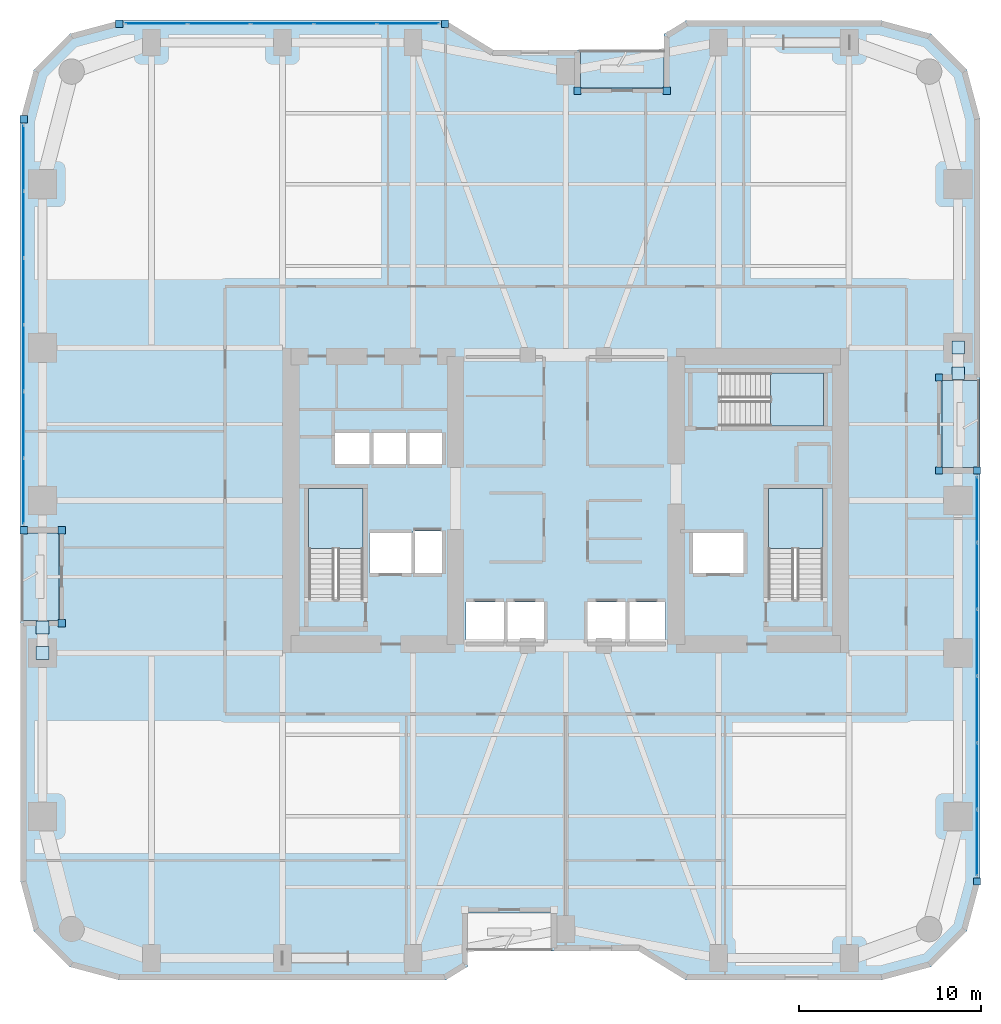
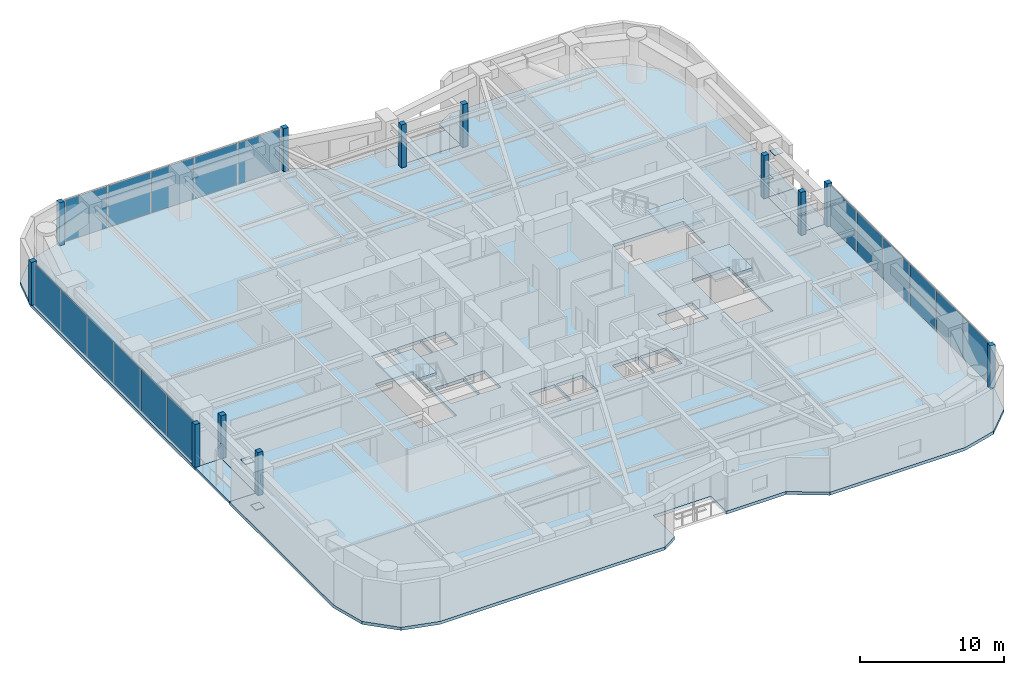
# One storey, part 16 of 24: 33 plates, 7 slabs, 6 elements without a shape of their own.
"""IFC4 building model written with IfcOpenShell, lengths in metres."""

from ifc_helpers import new_model, si_unit, direction, frame, origin, origin_2d, place, context, subcontext, project, spatial, polyline, rectangle, outline, extrude, material, layer, layer_set, type_object, element, aggregate, save


model = new_model("IFC4")

# Units and contexts
model_context = context("Model", 3, precision=1e-05, world=origin(), true_north=direction((0.0, 1.0)))
body_context = subcontext(model_context, "Body", "Model", "MODEL_VIEW")
ifc_project = project(units=[si_unit("LENGTHUNIT", "METRE"), si_unit("AREAUNIT", "SQUARE_METRE"), si_unit("VOLUMEUNIT", "CUBIC_METRE"), si_unit("PLANEANGLEUNIT", "RADIAN"), si_unit("MASSUNIT", "GRAM", prefix="KILO")], contexts=[model_context])

# Site, building, storey
site_placement = place(None, origin())
site = spatial("IfcSite", under=ifc_project, at=site_placement, CompositionType="ELEMENT")
building_placement = place(site_placement, origin())
building = spatial("IfcBuilding", under=site, at=building_placement, Name="Kiyonajd Concourse Tower", CompositionType="ELEMENT")
storey_placement = place(building_placement, frame((0.0, 0.0, 89.699951171875)))
storey = spatial("IfcBuildingStorey", under=building, at=storey_placement, Name="L23", CompositionType="ELEMENT", Elevation=89.699951171875)

# Plates
ifc_material_1 = material(Name="Steel ASTM A572 Grade 50", Category="steel")
ifc_layer_1 = layer(ifc_material_1, 0.028076171875)
ifc_layer_set_1 = layer_set([ifc_layer_1], Name="Steel ASTM A572 Grade 50")
plate_type_1 = type_object("IfcPlateType", Name="PL-CAP-450", PredefinedType="USERDEFINED", material=ifc_layer_set_1)
for number, where, z_axis, x_axis, name in (
    (1, (19.199951171875, 27.59521484375, 0.27587890625), (0.0, 0.0, 1.0), (1.0, 0.0, 0.0), "L23 Hollow Brace End Cap Plate PBW"),
    (2, (19.199951171875, 29.004638671875, 3.2861328125), (0.0, 0.0, 1.0), (1.0, 0.0, 0.0), "L23 Hollow Brace Top Cap Plate PBW"),
    (3, (69.60009765625, 44.40478515625, 0.27587890625), (0.0, 0.0, 1.0), (1.0, 0.0, 0.0), "L23 Hollow Brace End Cap Plate PBE"),
    (4, (69.60009765625, 42.995361328125, 3.2861328125), (0.0, 0.0, 1.0), (1.0, 0.0, 0.0), "L23 Hollow Brace Top Cap Plate PBE"),
):
    element("IfcPlate", number, at=place(storey_placement, frame(where, z_axis=z_axis, x_axis=x_axis)), inside=storey, type_object=plate_type_1, Name=name, ObjectType="CAP PLATE", PredefinedType="USERDEFINED", context=body_context, shape_type="SweptSolid", body=[
        extrude(rectangle(XDim=0.7099609375, YDim=0.7099609375, at=origin_2d()), origin(), (0.0, 0.0, 1.0), 0.028076171875),
    ])

# Curtain wall, plates
ifc_material_2 = material(Name="Thermally Broken Anodised Aluminium", Category="aluminium")
ifc_layer_2 = layer(ifc_material_2, 0.179931640625)
ifc_layer_set_2 = layer_set([ifc_layer_2], Name="Thermally Broken Anodised Aluminium")
curtain_wall_type = type_object("IfcCurtainWallType", Name="CW-SYS-03", PredefinedType="NOTDEFINED", material=ifc_layer_set_2)
curtain_wall_1_placement = place(storey_placement, origin())
curtain_wall_1 = element("IfcCurtainWall", 5, at=curtain_wall_1_placement, inside=storey, type_object=curtain_wall_type, Name="L23 Unitised Curtain Wall CW3", PredefinedType="NOTDEFINED")
ifc_material_3 = material(Name="Double Low-E Insulated Glass", Category="glass")
ifc_layer_3 = layer(ifc_material_3, 0.033935546875)
ifc_layer_set_3 = layer_set([ifc_layer_3], Name="Double Low-E Insulated Glass")
plate_type_2 = type_object("IfcPlateType", Name="PL-CW-VIS34", PredefinedType="CURTAIN_PANEL", material=ifc_layer_set_3)
plate_1_placement = place(storey_placement, frame((18.159912109375, 36.5029296875, 0.06494140625), z_axis=(0.0, 0.0, 1.0), x_axis=(0.0, 1.0, 0.0)))
plate_1 = element("IfcPlate", 6, at=plate_1_placement, type_object=plate_type_2, Name="CW3 panel 1.1", PredefinedType="CURTAIN_PANEL", context=body_context, shape_type="SweptSolid", body=[
    extrude(rectangle(XDim=3.57568359375, YDim=0.033935546875, at=origin_2d()), origin(), (0.0, 0.0, 1.0), 3.510009765625),
])
plate_2_placement = place(storey_placement, frame((18.159912109375, 40.15966796875, 0.06494140625), z_axis=(0.0, 0.0, 1.0), x_axis=(0.0, 1.0, 0.0)))
plate_2 = element("IfcPlate", 7, at=plate_2_placement, type_object=plate_type_2, Name="CW3 panel 2.1", PredefinedType="CURTAIN_PANEL", context=body_context, shape_type="SweptSolid", body=[
    extrude(rectangle(XDim=3.608154296875, YDim=0.033935546875, at=origin_2d()), origin(), (0.0, 0.0, 1.0), 3.510009765625),
])
plate_3_placement = place(storey_placement, frame((18.159912109375, 43.832763671875, 0.06494140625), z_axis=(0.0, 0.0, 1.0), x_axis=(0.0, 1.0, 0.0)))
plate_3 = element("IfcPlate", 8, at=plate_3_placement, type_object=plate_type_2, Name="CW3 panel 3.1", PredefinedType="CURTAIN_PANEL", context=body_context, shape_type="SweptSolid", body=[
    extrude(rectangle(XDim=3.608154296875, YDim=0.033935546875, at=origin_2d()), origin(), (0.0, 0.0, 1.0), 3.510009765625),
])
plate_4_placement = place(storey_placement, frame((18.159912109375, 47.506103515625, 0.06494140625), z_axis=(0.0, 0.0, 1.0), x_axis=(0.0, 1.0, 0.0)))
plate_4 = element("IfcPlate", 9, at=plate_4_placement, type_object=plate_type_2, Name="CW3 panel 4.1", PredefinedType="CURTAIN_PANEL", context=body_context, shape_type="SweptSolid", body=[
    extrude(rectangle(XDim=3.608154296875, YDim=0.033935546875, at=origin_2d()), origin(), (0.0, 0.0, 1.0), 3.510009765625),
])
plate_5_placement = place(storey_placement, frame((18.159912109375, 51.17919921875, 0.06494140625), z_axis=(0.0, 0.0, 1.0), x_axis=(0.0, 1.0, 0.0)))
plate_5 = element("IfcPlate", 10, at=plate_5_placement, type_object=plate_type_2, Name="CW3 panel 5.1", PredefinedType="CURTAIN_PANEL", context=body_context, shape_type="SweptSolid", body=[
    extrude(rectangle(XDim=3.608154296875, YDim=0.033935546875, at=origin_2d()), origin(), (0.0, 0.0, 1.0), 3.510009765625),
])
plate_6_placement = place(storey_placement, frame((18.159912109375, 54.836181640625, 0.06494140625), z_axis=(0.0, 0.0, 1.0), x_axis=(0.0, 1.0, 0.0)))
plate_6 = element("IfcPlate", 11, at=plate_6_placement, type_object=plate_type_2, Name="CW3 panel 6.1", PredefinedType="CURTAIN_PANEL", context=body_context, shape_type="SweptSolid", body=[
    extrude(rectangle(XDim=3.57568359375, YDim=0.033935546875, at=origin_2d()), origin(), (0.0, 0.0, 1.0), 3.510009765625),
])
aggregate(curtain_wall_1, [plate_1, plate_2, plate_3, plate_4, plate_5, plate_6])

curtain_wall_2_placement = place(storey_placement, origin())
curtain_wall_2 = element("IfcCurtainWall", 12, at=curtain_wall_2_placement, inside=storey, type_object=curtain_wall_type, Name="L23 Unitised Curtain Wall CW3", PredefinedType="NOTDEFINED")
plate_7_placement = place(storey_placement, frame((25.462646484375, 62.239990234375, 0.06494140625), z_axis=(0.0, 0.0, 1.0), x_axis=(1.0, 0.0, 0.0)))
plate_7 = element("IfcPlate", 13, at=plate_7_placement, type_object=plate_type_2, Name="CW3 panel 1.1", PredefinedType="CURTAIN_PANEL", context=body_context, shape_type="SweptSolid", body=[
    extrude(rectangle(XDim=3.373291015625, YDim=0.033935546875, at=origin_2d()), origin(), (0.0, 0.0, 1.0), 3.510009765625),
])
plate_8_placement = place(storey_placement, frame((28.917236328125, 62.239990234375, 0.06494140625), z_axis=(0.0, 0.0, 1.0), x_axis=(1.0, 0.0, 0.0)))
plate_8 = element("IfcPlate", 14, at=plate_8_placement, type_object=plate_type_2, Name="CW3 panel 2.1", PredefinedType="CURTAIN_PANEL", context=body_context, shape_type="SweptSolid", body=[
    extrude(rectangle(XDim=3.40576171875, YDim=0.033935546875, at=origin_2d()), origin(), (0.0, 0.0, 1.0), 3.510009765625),
])
plate_9_placement = place(storey_placement, frame((32.387939453125, 62.239990234375, 0.06494140625), z_axis=(0.0, 0.0, 1.0), x_axis=(1.0, 0.0, 0.0)))
plate_9 = element("IfcPlate", 15, at=plate_9_placement, type_object=plate_type_2, Name="CW3 panel 3.1", PredefinedType="CURTAIN_PANEL", context=body_context, shape_type="SweptSolid", body=[
    extrude(rectangle(XDim=3.40576171875, YDim=0.033935546875, at=origin_2d()), origin(), (0.0, 0.0, 1.0), 3.510009765625),
])
plate_10_placement = place(storey_placement, frame((35.858642578125, 62.239990234375, 0.06494140625), z_axis=(0.0, 0.0, 1.0), x_axis=(1.0, 0.0, 0.0)))
plate_10 = element("IfcPlate", 16, at=plate_10_placement, type_object=plate_type_2, Name="CW3 panel 4.1", PredefinedType="CURTAIN_PANEL", context=body_context, shape_type="SweptSolid", body=[
    extrude(rectangle(XDim=3.40576171875, YDim=0.033935546875, at=origin_2d()), origin(), (0.0, 0.0, 1.0), 3.510009765625),
])
plate_11_placement = place(storey_placement, frame((39.31298828125, 62.239990234375, 0.06494140625), z_axis=(0.0, 0.0, 1.0), x_axis=(1.0, 0.0, 0.0)))
plate_11 = element("IfcPlate", 17, at=plate_11_placement, type_object=plate_type_2, Name="CW3 panel 5.1", PredefinedType="CURTAIN_PANEL", context=body_context, shape_type="SweptSolid", body=[
    extrude(rectangle(XDim=3.373291015625, YDim=0.033935546875, at=origin_2d()), origin(), (0.0, 0.0, 1.0), 3.510009765625),
])
aggregate(curtain_wall_2, [plate_7, plate_8, plate_9, plate_10, plate_11])

curtain_wall_3_placement = place(storey_placement, origin())
curtain_wall_3 = element("IfcCurtainWall", 18, at=curtain_wall_3_placement, inside=storey, type_object=curtain_wall_type, Name="L23 Unitised Curtain Wall CW3", PredefinedType="NOTDEFINED")
plate_12_placement = place(storey_placement, frame((70.639892578125, 35.4970703125, 0.06494140625), z_axis=(0.0, 0.0, 1.0), x_axis=(0.0, -1.0, 0.0)))
plate_12 = element("IfcPlate", 19, at=plate_12_placement, type_object=plate_type_2, Name="CW3 panel 1.1", PredefinedType="CURTAIN_PANEL", context=body_context, shape_type="SweptSolid", body=[
    extrude(rectangle(XDim=3.57568359375, YDim=0.033935546875, at=origin_2d()), origin(), (0.0, 0.0, 1.0), 3.510009765625),
])
plate_13_placement = place(storey_placement, frame((70.639892578125, 31.84033203125, 0.06494140625), z_axis=(0.0, 0.0, 1.0), x_axis=(0.0, -1.0, 0.0)))
plate_13 = element("IfcPlate", 20, at=plate_13_placement, type_object=plate_type_2, Name="CW3 panel 2.1", PredefinedType="CURTAIN_PANEL", context=body_context, shape_type="SweptSolid", body=[
    extrude(rectangle(XDim=3.608154296875, YDim=0.033935546875, at=origin_2d()), origin(), (0.0, 0.0, 1.0), 3.510009765625),
])
plate_14_placement = place(storey_placement, frame((70.639892578125, 28.167236328125, 0.06494140625), z_axis=(0.0, 0.0, 1.0), x_axis=(0.0, -1.0, 0.0)))
plate_14 = element("IfcPlate", 21, at=plate_14_placement, type_object=plate_type_2, Name="CW3 panel 3.1", PredefinedType="CURTAIN_PANEL", context=body_context, shape_type="SweptSolid", body=[
    extrude(rectangle(XDim=3.608154296875, YDim=0.033935546875, at=origin_2d()), origin(), (0.0, 0.0, 1.0), 3.510009765625),
])
plate_15_placement = place(storey_placement, frame((70.639892578125, 24.493896484375, 0.06494140625), z_axis=(0.0, 0.0, 1.0), x_axis=(0.0, -1.0, 0.0)))
plate_15 = element("IfcPlate", 22, at=plate_15_placement, type_object=plate_type_2, Name="CW3 panel 4.1", PredefinedType="CURTAIN_PANEL", context=body_context, shape_type="SweptSolid", body=[
    extrude(rectangle(XDim=3.608154296875, YDim=0.033935546875, at=origin_2d()), origin(), (0.0, 0.0, 1.0), 3.510009765625),
])
plate_16_placement = place(storey_placement, frame((70.639892578125, 20.82080078125, 0.06494140625), z_axis=(0.0, 0.0, 1.0), x_axis=(0.0, -1.0, 0.0)))
plate_16 = element("IfcPlate", 23, at=plate_16_placement, type_object=plate_type_2, Name="CW3 panel 5.1", PredefinedType="CURTAIN_PANEL", context=body_context, shape_type="SweptSolid", body=[
    extrude(rectangle(XDim=3.608154296875, YDim=0.033935546875, at=origin_2d()), origin(), (0.0, 0.0, 1.0), 3.510009765625),
])
plate_17_placement = place(storey_placement, frame((70.639892578125, 17.163818359375, 0.06494140625), z_axis=(0.0, 0.0, 1.0), x_axis=(0.0, -1.0, 0.0)))
plate_17 = element("IfcPlate", 24, at=plate_17_placement, type_object=plate_type_2, Name="CW3 panel 6.1", PredefinedType="CURTAIN_PANEL", context=body_context, shape_type="SweptSolid", body=[
    extrude(rectangle(XDim=3.57568359375, YDim=0.033935546875, at=origin_2d()), origin(), (0.0, 0.0, 1.0), 3.510009765625),
])
aggregate(curtain_wall_3, [plate_12, plate_13, plate_14, plate_15, plate_16, plate_17])

# Plates
ifc_layer_4 = layer(ifc_material_2, 0.39990234375)
ifc_layer_set_4 = layer_set([ifc_layer_4], Name="Thermally Broken Anodised Aluminium")
plate_type_3 = type_object("IfcPlateType", Name="PL-JMB-400", PredefinedType="USERDEFINED", material=ifc_layer_set_4)
for number, where, z_axis, x_axis, name in (
    (25, (20.260009765625, 29.239990234375, 0.0), (0.0, 0.0, 1.0), (1.0, 0.0, 0.0), "L23 Facade Jamb Closure Plate 01"),
    (26, (20.260009765625, 34.360107421875, 0.0), (0.0, 0.0, 1.0), (1.0, 0.0, 0.0), "L23 Facade Jamb Closure Plate 02"),
    (27, (18.159912109375, 34.360107421875, 0.0), (0.0, 0.0, 1.0), (1.0, 0.0, 0.0), "L23 Facade Jamb Closure Plate 03"),
    (28, (18.159912109375, 56.97900390625, 0.0), (0.0, 0.0, 1.0), (1.0, 0.0, 0.0), "L23 Facade Jamb Closure Plate 04"),
    (29, (23.421142578125, 62.239990234375, 0.0), (0.0, 0.0, 1.0), (1.0, 0.0, 0.0), "L23 Facade Jamb Closure Plate 05"),
    (30, (41.354736328125, 62.239990234375, 0.0), (0.0, 0.0, 1.0), (1.0, 0.0, 0.0), "L23 Facade Jamb Closure Plate 06"),
    (31, (48.639892578125, 58.5400390625, 0.0), (0.0, 0.0, 1.0), (1.0, 0.0, 0.0), "L23 Facade Jamb Closure Plate 07"),
    (32, (53.56005859375, 58.5400390625, 0.0), (0.0, 0.0, 1.0), (1.0, 0.0, 0.0), "L23 Facade Jamb Closure Plate 08"),
    (33, (68.5400390625, 42.760009765625, 0.0), (0.0, 0.0, 1.0), (1.0, 0.0, 0.0), "L23 Facade Jamb Closure Plate 09"),
    (34, (68.5400390625, 37.639892578125, 0.0), (0.0, 0.0, 1.0), (1.0, 0.0, 0.0), "L23 Facade Jamb Closure Plate 10"),
    (35, (70.639892578125, 37.639892578125, 0.0), (0.0, 0.0, 1.0), (1.0, 0.0, 0.0), "L23 Facade Jamb Closure Plate 11"),
    (36, (70.639892578125, 15.02099609375, 0.0), (0.0, 0.0, 1.0), (1.0, 0.0, 0.0), "L23 Facade Jamb Closure Plate 12"),
):
    element("IfcPlate", number, at=place(storey_placement, frame(where, z_axis=z_axis, x_axis=x_axis)), inside=storey, type_object=plate_type_3, Name=name, ObjectType="JAMB PLATE", PredefinedType="USERDEFINED", context=body_context, shape_type="SweptSolid", body=[
        extrude(rectangle(XDim=0.39990234375, YDim=0.39990234375, at=origin_2d()), origin(), (0.0, 0.0, 1.0), 3.639892578125),
    ])

# Stair, slab
ifc_material_4 = material(Name="Concrete C40/50", Category="concrete")
stair_type = type_object("IfcStairType", Name="ST-DLG-22R", PredefinedType="HALF_TURN_STAIR", material=ifc_material_4)
stair_1_placement = place(storey_placement, origin())
stair_1 = element("IfcStair", 37, at=stair_1_placement, inside=storey, type_object=stair_type, Name="L23 Protected Exit Stair ST1", PredefinedType="HALF_TURN_STAIR")
ifc_layer_5 = layer(ifc_material_4, 0.199951171875)
ifc_layer_set_5 = layer_set([ifc_layer_5], Name="Concrete C40/50")
slab_type_1 = type_object("IfcSlabType", Name="SL-LND-200", PredefinedType="LANDING", material=ifc_layer_set_5)
slab_1_placement = place(storey_placement, frame((0.0, 0.0, 1.75)))
slab_1 = element("IfcSlab", 38, at=slab_1_placement, type_object=slab_type_1, Name="ST1 landing 1", PredefinedType="LANDING", context=body_context, shape_type="SweptSolid", body=[
    extrude(outline(polyline([(36.85009765625, 33.35009765625), (36.85009765625, 36.64990234375), (33.85009765625, 36.64990234375), (33.85009765625, 33.35009765625), (36.85009765625, 33.35009765625)])), origin(), (0.0, 0.0, 1.0), 0.199951171875),
])
aggregate(stair_1, [slab_1])

stair_2_placement = place(storey_placement, origin())
stair_2 = element("IfcStair", 39, at=stair_2_placement, inside=storey, type_object=stair_type, Name="L23 Protected Exit Stair ST2", PredefinedType="HALF_TURN_STAIR")
slab_2_placement = place(storey_placement, frame((0.0, 0.0, 1.75)))
slab_2 = element("IfcSlab", 40, at=slab_2_placement, type_object=slab_type_1, Name="ST2 landing 1", PredefinedType="LANDING", context=body_context, shape_type="SweptSolid", body=[
    extrude(outline(polyline([(62.14990234375, 33.35009765625), (62.14990234375, 36.64990234375), (59.14990234375, 36.64990234375), (59.14990234375, 33.35009765625), (62.14990234375, 33.35009765625)])), origin(), (0.0, 0.0, 1.0), 0.199951171875),
])
aggregate(stair_2, [slab_2])

stair_3_placement = place(storey_placement, origin())
stair_3 = element("IfcStair", 41, at=stair_3_placement, inside=storey, type_object=stair_type, Name="L23 Protected Exit Stair ST3", PredefinedType="HALF_TURN_STAIR")
slab_3_placement = place(storey_placement, frame((0.0, 0.0, 1.75)))
slab_3 = element("IfcSlab", 42, at=slab_3_placement, type_object=slab_type_1, Name="ST3 landing 1", PredefinedType="LANDING", context=body_context, shape_type="SweptSolid", body=[
    extrude(outline(polyline([(59.280029296875, 40.080078125), (62.179931640625, 40.080078125), (62.179931640625, 43.02001953125), (59.280029296875, 43.02001953125), (59.280029296875, 40.080078125)])), origin(), (0.0, 0.0, 1.0), 0.199951171875),
])
aggregate(stair_3, [slab_3])

# Slabs
ifc_material_5 = material(Name="Precast concrete C50/60", Category="concrete")
ifc_layer_6 = layer(ifc_material_5, 0.199951171875)
ifc_layer_set_6 = layer_set([ifc_layer_6], Name="Precast concrete C50/60")
slab_type_2 = type_object("IfcSlabType", Name="SL-LOG-200", PredefinedType="FLOOR", material=ifc_layer_set_6)
slab_4_placement = place(storey_placement, frame((0.0, 0.0, -0.199951171875)))
element("IfcSlab", 43, at=slab_4_placement, inside=storey, type_object=slab_type_2, Name="L23 Recessed Engawa Loggia Terrace Slab LOG-N", PredefinedType="FLOOR", context=body_context, shape_type="SweptSolid", body=[
    extrude(outline(polyline([(48.800048828125, 58.699951171875), (53.39990234375, 58.699951171875), (53.39990234375, 60.800048828125), (48.800048828125, 60.800048828125), (48.800048828125, 58.699951171875)])), origin(), (0.0, 0.0, 1.0), 0.199951171875),
])
slab_5_placement = place(storey_placement, frame((0.0, 0.0, -0.199951171875)))
element("IfcSlab", 44, at=slab_5_placement, inside=storey, type_object=slab_type_2, Name="L23 Recessed Engawa Loggia Terrace Slab LOG-W", PredefinedType="FLOOR", context=body_context, shape_type="SweptSolid", body=[
    extrude(outline(polyline([(18.0, 29.39990234375), (20.10009765625, 29.39990234375), (20.10009765625, 34.199951171875), (18.0, 34.199951171875), (18.0, 29.39990234375)])), origin(), (0.0, 0.0, 1.0), 0.199951171875),
])
slab_6_placement = place(storey_placement, frame((0.0, 0.0, -0.199951171875)))
element("IfcSlab", 45, at=slab_6_placement, inside=storey, type_object=slab_type_2, Name="L23 Recessed Engawa Loggia Terrace Slab LOG-E", PredefinedType="FLOOR", context=body_context, shape_type="SweptSolid", body=[
    extrude(outline(polyline([(68.699951171875, 37.800048828125), (70.800048828125, 37.800048828125), (70.800048828125, 42.60009765625), (68.699951171875, 42.60009765625), (68.699951171875, 37.800048828125)])), origin(), (0.0, 0.0, 1.0), 0.199951171875),
])
ifc_layer_7 = layer(ifc_material_4, 0.260009765625)
ifc_layer_set_7 = layer_set([ifc_layer_7], Name="Concrete C40/50")
slab_type_3 = type_object("IfcSlabType", Name="SL-TWR-260", PredefinedType="FLOOR", material=ifc_layer_set_7)
slab_7_placement = place(storey_placement, frame((0.0, 0.0, -0.260009765625)))
element("IfcSlab", 46, at=slab_7_placement, inside=storey, type_object=slab_type_3, Name="L23 Tower Conditioned Floor Slab", PredefinedType="FLOOR", context=body_context, shape_type="SweptSolid", body=[
    extrude(outline(polyline([(18.722900390625, 12.300048828125), (18.0, 15.0), (18.0, 29.39990234375), (20.10009765625, 29.39990234375), (20.10009765625, 34.199951171875), (18.0, 34.199951171875), (18.0, 57.0), (18.722900390625, 59.699951171875), (20.699951171875, 61.677001953125), (23.39990234375, 62.39990234375), (41.39990234375, 62.39990234375), (44.0, 60.800048828125), (48.800048828125, 60.800048828125), (48.800048828125, 58.699951171875), (53.39990234375, 58.699951171875), (53.39990234375, 61.662109375), (54.60009765625, 62.39990234375), (65.39990234375, 62.39990234375), (68.10009765625, 61.677001953125), (70.076904296875, 59.699951171875), (70.800048828125, 57.0), (70.800048828125, 42.60009765625), (68.699951171875, 42.60009765625), (68.699951171875, 37.800048828125), (70.800048828125, 37.800048828125), (70.800048828125, 15.0), (70.076904296875, 12.300048828125), (68.10009765625, 10.322998046875), (65.39990234375, 9.60009765625), (54.60009765625, 9.60009765625), (52.0, 11.199951171875), (47.199951171875, 11.199951171875), (47.199951171875, 13.300048828125), (42.60009765625, 13.300048828125), (42.60009765625, 10.337890625), (41.39990234375, 9.60009765625), (23.39990234375, 9.60009765625), (20.699951171875, 10.322998046875), (18.722900390625, 12.300048828125)]), holes=[polyline([(44.60009765625, 28.199951171875), (42.5, 28.199951171875), (42.5, 30.39990234375), (44.60009765625, 30.39990234375), (44.60009765625, 28.199951171875)]), polyline([(37.199951171875, 32.0), (37.199951171875, 34.199951171875), (39.5, 34.199951171875), (39.5, 32.0), (37.199951171875, 32.0)]), polyline([(39.60009765625, 32.0), (39.60009765625, 34.300048828125), (41.199951171875, 34.300048828125), (41.199951171875, 32.0), (39.60009765625, 32.0)]), polyline([(36.85009765625, 30.550048828125), (33.85009765625, 30.550048828125), (33.85009765625, 36.64990234375), (36.85009765625, 36.64990234375), (36.85009765625, 30.550048828125)]), polyline([(35.300048828125, 38.0), (35.300048828125, 39.699951171875), (37.199951171875, 39.699951171875), (37.199951171875, 38.0), (35.300048828125, 38.0)]), polyline([(37.300048828125, 38.0), (37.300048828125, 39.699951171875), (39.199951171875, 39.699951171875), (39.199951171875, 38.0), (37.300048828125, 38.0)]), polyline([(41.199951171875, 38.0), (39.300048828125, 38.0), (39.300048828125, 39.699951171875), (41.199951171875, 39.699951171875), (41.199951171875, 38.0)]), polyline([(44.699951171875, 28.199951171875), (44.699951171875, 30.39990234375), (46.800048828125, 30.39990234375), (46.800048828125, 28.199951171875), (44.699951171875, 28.199951171875)]), polyline([(49.199951171875, 28.199951171875), (49.199951171875, 30.39990234375), (51.300048828125, 30.39990234375), (51.300048828125, 28.199951171875), (49.199951171875, 28.199951171875)]), polyline([(51.39990234375, 28.199951171875), (51.39990234375, 30.39990234375), (53.5, 30.39990234375), (53.5, 28.199951171875), (51.39990234375, 28.199951171875)]), polyline([(55.0, 32.0), (55.0, 34.199951171875), (57.800048828125, 34.199951171875), (57.800048828125, 32.0), (55.0, 32.0)]), polyline([(59.14990234375, 30.550048828125), (59.14990234375, 36.64990234375), (62.14990234375, 36.64990234375), (62.14990234375, 30.550048828125), (59.14990234375, 30.550048828125)]), polyline([(56.47998046875, 43.02001953125), (62.179931640625, 43.02001953125), (62.179931640625, 40.080078125), (56.47998046875, 40.080078125), (56.47998046875, 43.02001953125)])]), origin(), (0.0, 0.0, 1.0), 0.260009765625),
])

save(model, "model.ifc")
